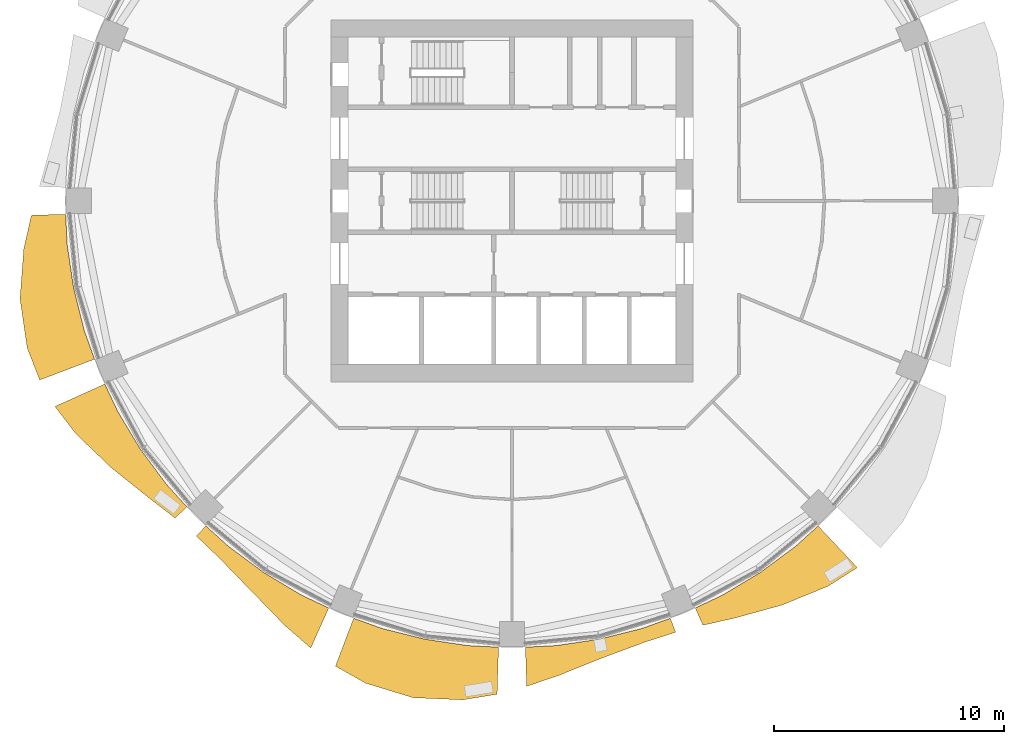
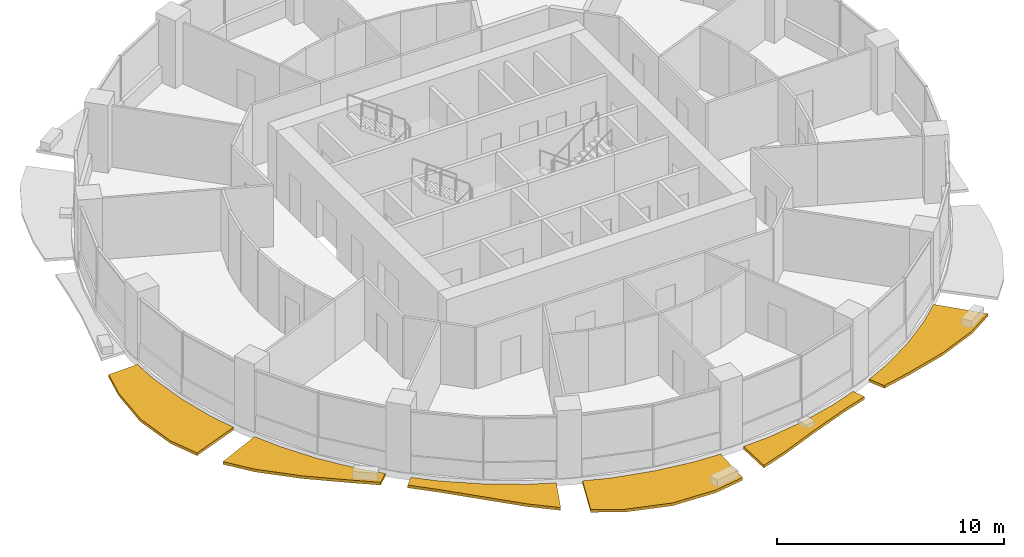
# One storey, part 12 of 15: 6 shading devices.
"""IFC4 building model written with IfcOpenShell, lengths in metres."""

from ifc_helpers import new_model, si_unit, direction, frame, origin, place, context, subcontext, project, spatial, polyline, outline, extrude, material, type_object, element, save


model = new_model("IFC4")

# Units and contexts
model_context = context("Model", 3, precision=1e-05, world=origin(), true_north=direction((0.0, 1.0)))
body_context = subcontext(model_context, "Body", "Model", "MODEL_VIEW")
ifc_project = project(units=[si_unit("LENGTHUNIT", "METRE"), si_unit("AREAUNIT", "SQUARE_METRE"), si_unit("VOLUMEUNIT", "CUBIC_METRE"), si_unit("PLANEANGLEUNIT", "RADIAN"), si_unit("MASSUNIT", "GRAM", prefix="KILO")], contexts=[model_context])

# Site, building, storey
site_placement = place(None, origin())
site = spatial("IfcSite", under=ifc_project, at=site_placement, CompositionType="ELEMENT")
building_placement = place(site_placement, origin())
building = spatial("IfcBuilding", under=site, at=building_placement, Name="Polderwave Tower", CompositionType="ELEMENT")
storey_placement = place(building_placement, frame((0.0, 0.0, 80.050048828125)))
storey = spatial("IfcBuildingStorey", under=building, at=storey_placement, Name="L20", CompositionType="ELEMENT", Elevation=80.050048828125)

# Shading devices
ifc_material = material(Name="Terracotta", Category="masonry")
shading_device_type = type_object("IfcShadingDeviceType", Name="Terracotta sunshade band", PredefinedType="USERDEFINED", material=ifc_material)
shading_device_1_placement = place(storey_placement, frame((0.0, 0.0, -0.35009765625)))
element("IfcShadingDevice", 1, at=shading_device_1_placement, inside=storey, type_object=shading_device_type, Name="Sunshade band L20 9", ObjectType="SUNSHADE", PredefinedType="USERDEFINED", context=body_context, shape_type="SweptSolid", body=[
    extrude(outline(polyline([(-19.411376953125, -0.583740234375), (-19.346435546875, -1.905517578125), (-19.06640625, -3.79248046875), (-18.602783203125, -5.64306640625), (-18.156982421875, -6.88916015625), (-20.541259765625, -7.793701171875), (-21.0869140625, -6.396728515625), (-21.398193359375, -4.25634765625), (-21.234375, -2.09130859375), (-20.90380859375, -0.628662109375), (-19.411376953125, -0.583740234375)])), origin(), (0.0, 0.0, 1.0), 0.150146484375),
])
shading_device_2_placement = place(storey_placement, frame((0.0, 0.0, -0.35009765625)))
element("IfcShadingDevice", 2, at=shading_device_2_placement, inside=storey, type_object=shading_device_type, Name="Sunshade band L20 10", ObjectType="SUNSHADE", PredefinedType="USERDEFINED", context=body_context, shape_type="SweptSolid", body=[
    extrude(outline(polyline([(-17.710205078125, -7.9677734375), (-17.14453125, -9.1640625), (-16.163818359375, -10.80029296875), (-15.02734375, -12.33251953125), (-14.138671875, -13.31298828125), (-14.65380859375, -13.798095703125), (-15.76953125, -12.941650390625), (-17.40673828125, -11.630859375), (-18.9658203125, -10.137451171875), (-19.879638671875, -8.943603515625), (-17.710205078125, -7.9677734375)])), origin(), (0.0, 0.0, 1.0), 0.150146484375),
])
shading_device_3_placement = place(storey_placement, frame((0.0, 0.0, -0.35009765625)))
element("IfcShadingDevice", 3, at=shading_device_3_placement, inside=storey, type_object=shading_device_type, Name="Sunshade band L20 11", ObjectType="SUNSHADE", PredefinedType="USERDEFINED", context=body_context, shape_type="SweptSolid", body=[
    extrude(outline(polyline([(-13.31298828125, -14.138671875), (-12.33251953125, -15.02734375), (-10.80029296875, -16.163818359375), (-9.1640625, -17.14453125), (-7.9677734375, -17.710205078125), (-8.752197265625, -19.4541015625), (-9.875244140625, -18.475341796875), (-11.33984375, -16.97119140625), (-12.741943359375, -15.52587890625), (-13.728515625, -14.57958984375), (-13.31298828125, -14.138671875)])), origin(), (0.0, 0.0, 1.0), 0.150146484375),
])
shading_device_4_placement = place(storey_placement, frame((0.0, 0.0, -0.35009765625)))
element("IfcShadingDevice", 4, at=shading_device_4_placement, inside=storey, type_object=shading_device_type, Name="Sunshade band L20 12", ObjectType="SUNSHADE", PredefinedType="USERDEFINED", context=body_context, shape_type="SweptSolid", body=[
    extrude(outline(polyline([(-6.88916015625, -18.156982421875), (-5.64306640625, -18.602783203125), (-3.79248046875, -19.06640625), (-1.905517578125, -19.346435546875), (-0.583740234375, -19.411376953125), (-0.6455078125, -21.461181640625), (-2.1376953125, -21.70361328125), (-4.298583984375, -21.611083984375), (-6.364501953125, -20.981201171875), (-7.67919921875, -20.23974609375), (-6.88916015625, -18.156982421875)])), origin(), (0.0, 0.0, 1.0), 0.150146484375),
])
shading_device_5_placement = place(storey_placement, frame((0.0, 0.0, -0.35009765625)))
element("IfcShadingDevice", 5, at=shading_device_5_placement, inside=storey, type_object=shading_device_type, Name="Sunshade band L20 13", ObjectType="SUNSHADE", PredefinedType="USERDEFINED", context=body_context, shape_type="SweptSolid", body=[
    extrude(outline(polyline([(0.583740234375, -19.411376953125), (1.905517578125, -19.346435546875), (3.79248046875, -19.06640625), (5.64306640625, -18.602783203125), (6.88916015625, -18.156982421875), (7.11962890625, -18.764892578125), (5.818603515625, -19.18115234375), (3.952880859375, -19.873291015625), (2.033203125, -20.64306640625), (0.635009765625, -21.117431640625), (0.583740234375, -19.411376953125)])), origin(), (0.0, 0.0, 1.0), 0.150146484375),
])
shading_device_6_placement = place(storey_placement, frame((0.0, 0.0, -0.35009765625)))
element("IfcShadingDevice", 6, at=shading_device_6_placement, inside=storey, type_object=shading_device_type, Name="Sunshade band L20 14", ObjectType="SUNSHADE", PredefinedType="USERDEFINED", context=body_context, shape_type="SweptSolid", body=[
    extrude(outline(polyline([(7.9677734375, -17.710205078125), (9.1640625, -17.14453125), (10.80029296875, -16.163818359375), (12.33251953125, -15.02734375), (13.31298828125, -14.138671875), (15.02197265625, -15.953369140625), (13.75341796875, -16.7587890625), (11.74755859375, -17.58154296875), (9.698974609375, -18.1455078125), (8.3046875, -18.45947265625), (7.9677734375, -17.710205078125)])), origin(), (0.0, 0.0, 1.0), 0.150146484375),
])

save(model, "model.ifc")
